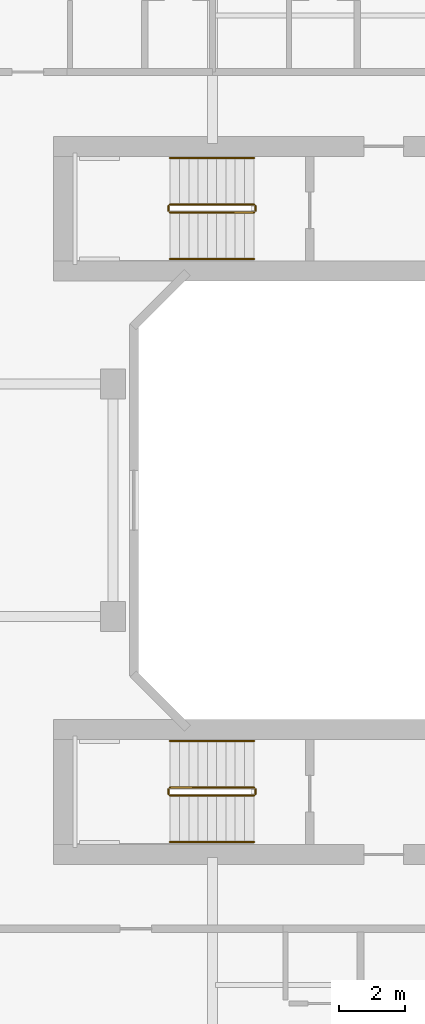
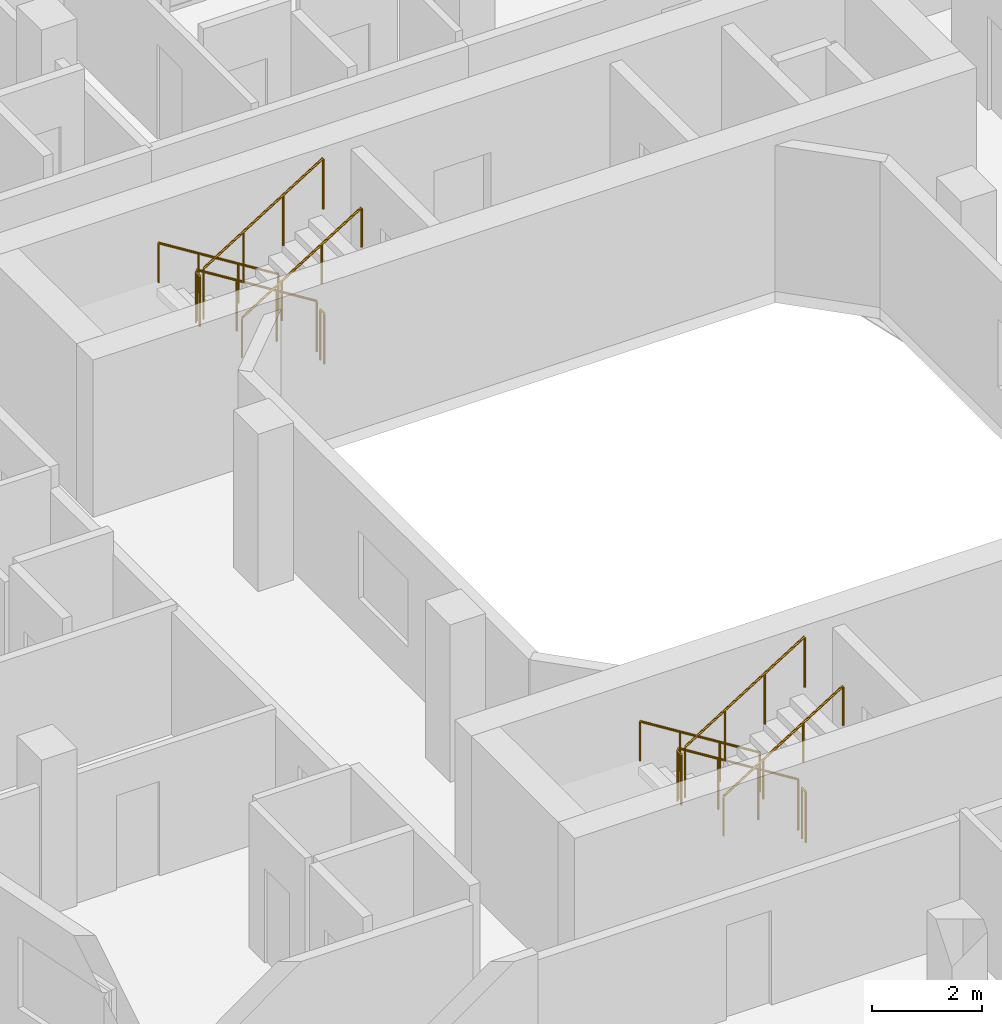
# One storey, part 26 of 26: 12 railings.
"""IFC4 building model written with IfcOpenShell, lengths in metres."""

from ifc_helpers import new_model, si_unit, derived_unit, direction, frame, origin, origin_2d, place, context, subcontext, project, spatial, circle, extrude, material, type_object, element, save


model = new_model("IFC4")

# Units and contexts
model_context = context("Model", 3, precision=1e-05, world=origin(), true_north=direction((0.0, 1.0)))
body_context = subcontext(model_context, "Body", "Model", "MODEL_VIEW")
ifc_project = project(units=[si_unit("LENGTHUNIT", "METRE"), si_unit("AREAUNIT", "SQUARE_METRE"), si_unit("VOLUMEUNIT", "CUBIC_METRE"), si_unit("PLANEANGLEUNIT", "RADIAN"), si_unit("MASSUNIT", "GRAM", prefix="KILO"), derived_unit("THERMALTRANSMITTANCEUNIT", [(si_unit("POWERUNIT", "WATT"), 1), (si_unit("LENGTHUNIT", "METRE"), -2), (si_unit("THERMODYNAMICTEMPERATUREUNIT", "KELVIN"), -1)])], contexts=[model_context])

# Site, building, storey
site_placement = place(None, origin())
site = spatial("IfcSite", under=ifc_project, at=site_placement, CompositionType="ELEMENT")
building_placement = place(site_placement, origin())
building = spatial("IfcBuilding", under=site, at=building_placement, Name="Kivonza Crest Hotel", CompositionType="ELEMENT")
storey_placement = place(building_placement, frame((0.0, 0.0, 45.0)))
storey = spatial("IfcBuildingStorey", under=building, at=storey_placement, Name="L11", CompositionType="ELEMENT", Elevation=45.0)

# Railings
ifc_material_1 = material(Name="Brushed stainless steel handrail", Category="steel")
railing_type_1 = type_object("IfcRailingType", Name="RL-HAND-900", PredefinedType="HANDRAIL", material=ifc_material_1)
railing_1_placement = place(storey_placement, frame((73.840087890625, 35.31005859375, 0.175048828125)))
element("IfcRailing", 1, at=railing_1_placement, inside=storey, type_object=railing_type_1, Name="L11 ST-T2-N stair handrail 1", PredefinedType="HANDRAIL", context=body_context, shape_type="SweptSolid", body=[
    extrude(circle(Radius=0.02392578125, at=origin_2d()), frame((0.0, 0.0, 0.8759765625), z_axis=(-0.848007534815, 0.0, 0.529984170421), x_axis=(0.0, -1.0, 0.0)), (0.0, 0.0, 1.0), 2.9716796875),
    extrude(circle(Radius=0.02099609375, at=origin_2d()), origin(), (0.0, 0.0, 1.0), 0.851806640625),
    extrude(circle(Radius=0.02099609375, at=origin_2d()), frame((-0.840087890625, 0.0, 0.52490234375)), (0.0, 0.0, 1.0), 0.851806640625),
    extrude(circle(Radius=0.02099609375, at=origin_2d()), frame((-1.679931640625, 0.0, 1.050048828125)), (0.0, 0.0, 1.0), 0.851806640625),
    extrude(circle(Radius=0.02099609375, at=origin_2d()), frame((-2.52001953125, 0.0, 1.574951171875)), (0.0, 0.0, 1.0), 0.851806640625),
])
railing_2_placement = place(storey_placement, frame((71.320068359375, 32.27001953125, 1.925048828125)))
element("IfcRailing", 2, at=railing_2_placement, inside=storey, type_object=railing_type_1, Name="L11 ST-T2-N stair handrail 2", PredefinedType="HANDRAIL", context=body_context, shape_type="SweptSolid", body=[
    extrude(circle(Radius=0.02392578125, at=origin_2d()), frame((0.0, 0.0, 0.8759765625), z_axis=(0.848007534815, 0.0, 0.529984170421), x_axis=(0.0, 1.0, 0.0)), (0.0, 0.0, 1.0), 2.9716796875),
    extrude(circle(Radius=0.02099609375, at=origin_2d()), origin(), (0.0, 0.0, 1.0), 0.851806640625),
    extrude(circle(Radius=0.02099609375, at=origin_2d()), frame((0.840087890625, 0.0, 0.52490234375)), (0.0, 0.0, 1.0), 0.851806640625),
    extrude(circle(Radius=0.02099609375, at=origin_2d()), frame((1.679931640625, 0.0, 1.050048828125)), (0.0, 0.0, 1.0), 0.851806640625),
    extrude(circle(Radius=0.02099609375, at=origin_2d()), frame((2.52001953125, 0.0, 1.574951171875)), (0.0, 0.0, 1.0), 0.851806640625),
])
railing_3_placement = place(storey_placement, frame((73.840087890625, 17.75, 0.175048828125)))
element("IfcRailing", 3, at=railing_3_placement, inside=storey, type_object=railing_type_1, Name="L11 ST-T2-S stair handrail 1", PredefinedType="HANDRAIL", context=body_context, shape_type="SweptSolid", body=[
    extrude(circle(Radius=0.02392578125, at=origin_2d()), frame((0.0, 0.0, 0.8759765625), z_axis=(-0.848007534815, 0.0, 0.529984170421), x_axis=(0.0, -1.0, 0.0)), (0.0, 0.0, 1.0), 2.9716796875),
    extrude(circle(Radius=0.02099609375, at=origin_2d()), origin(), (0.0, 0.0, 1.0), 0.851806640625),
    extrude(circle(Radius=0.02099609375, at=origin_2d()), frame((-0.840087890625, 0.0, 0.52490234375)), (0.0, 0.0, 1.0), 0.851806640625),
    extrude(circle(Radius=0.02099609375, at=origin_2d()), frame((-1.679931640625, 0.0, 1.050048828125)), (0.0, 0.0, 1.0), 0.851806640625),
    extrude(circle(Radius=0.02099609375, at=origin_2d()), frame((-2.52001953125, 0.0, 1.574951171875)), (0.0, 0.0, 1.0), 0.851806640625),
])
railing_4_placement = place(storey_placement, frame((71.320068359375, 14.7099609375, 1.925048828125)))
element("IfcRailing", 4, at=railing_4_placement, inside=storey, type_object=railing_type_1, Name="L11 ST-T2-S stair handrail 2", PredefinedType="HANDRAIL", context=body_context, shape_type="SweptSolid", body=[
    extrude(circle(Radius=0.02392578125, at=origin_2d()), frame((0.0, 0.0, 0.8759765625), z_axis=(0.848007534815, 0.0, 0.529984170421), x_axis=(0.0, 1.0, 0.0)), (0.0, 0.0, 1.0), 2.9716796875),
    extrude(circle(Radius=0.02099609375, at=origin_2d()), origin(), (0.0, 0.0, 1.0), 0.851806640625),
    extrude(circle(Radius=0.02099609375, at=origin_2d()), frame((0.840087890625, 0.0, 0.52490234375)), (0.0, 0.0, 1.0), 0.851806640625),
    extrude(circle(Radius=0.02099609375, at=origin_2d()), frame((1.679931640625, 0.0, 1.050048828125)), (0.0, 0.0, 1.0), 0.851806640625),
    extrude(circle(Radius=0.02099609375, at=origin_2d()), frame((2.52001953125, 0.0, 1.574951171875)), (0.0, 0.0, 1.0), 0.851806640625),
])
ifc_material_2 = material(Name="Painted steel balustrade", Category="steel")
railing_type_2 = type_object("IfcRailingType", Name="RL-STAIR-1150", PredefinedType="BALUSTRADE", material=ifc_material_2)
railing_5_placement = place(storey_placement, frame((73.840087890625, 33.909912109375, 0.175048828125)))
element("IfcRailing", 5, at=railing_5_placement, inside=storey, type_object=railing_type_2, Name="L11 ST-T2-N stair guard 1", PredefinedType="BALUSTRADE", context=body_context, shape_type="SweptSolid", body=[
    extrude(circle(Radius=0.02392578125, at=origin_2d()), frame((0.0, 0.0, 1.1259765625), z_axis=(-0.848007534815, 0.0, 0.529984170421), x_axis=(0.0, -1.0, 0.0)), (0.0, 0.0, 1.0), 2.9716796875),
    extrude(circle(Radius=0.02099609375, at=origin_2d()), origin(), (0.0, 0.0, 1.0), 1.101806640625),
    extrude(circle(Radius=0.02099609375, at=origin_2d()), frame((-0.840087890625, 0.0, 0.52490234375)), (0.0, 0.0, 1.0), 1.101806640625),
    extrude(circle(Radius=0.02099609375, at=origin_2d()), frame((-1.679931640625, 0.0, 1.050048828125)), (0.0, 0.0, 1.0), 1.101806640625),
    extrude(circle(Radius=0.02099609375, at=origin_2d()), frame((-2.52001953125, 0.0, 1.574951171875)), (0.0, 0.0, 1.0), 1.101806640625),
])
railing_6_placement = place(storey_placement, frame((71.27001953125, 33.860107421875, 1.75)))
element("IfcRailing", 6, at=railing_6_placement, inside=storey, type_object=railing_type_2, Name="L11 ST-T2-N stair guard 2", PredefinedType="BALUSTRADE", context=body_context, shape_type="SweptSolid", body=[
    extrude(circle(Radius=0.02392578125, at=origin_2d()), frame((0.0, 0.0, 1.1259765625), z_axis=(0.0, -1.0, 0.0), x_axis=(1.0, 0.0, 0.0)), (0.0, 0.0, 1.0), 0.14013671875),
    extrude(circle(Radius=0.02099609375, at=origin_2d()), origin(), (0.0, 0.0, 1.0), 1.101806640625),
    extrude(circle(Radius=0.02099609375, at=origin_2d()), frame((0.0, -0.14013671875, 0.0)), (0.0, 0.0, 1.0), 1.101806640625),
])
railing_7_placement = place(storey_placement, frame((71.320068359375, 33.669921875, 1.925048828125)))
element("IfcRailing", 7, at=railing_7_placement, inside=storey, type_object=railing_type_2, Name="L11 ST-T2-N stair guard 3", PredefinedType="BALUSTRADE", context=body_context, shape_type="SweptSolid", body=[
    extrude(circle(Radius=0.02392578125, at=origin_2d()), frame((0.0, 0.0, 1.1259765625), z_axis=(0.848007534815, 0.0, 0.529984170421), x_axis=(0.0, 1.0, 0.0)), (0.0, 0.0, 1.0), 2.9716796875),
    extrude(circle(Radius=0.02099609375, at=origin_2d()), origin(), (0.0, 0.0, 1.0), 1.101806640625),
    extrude(circle(Radius=0.02099609375, at=origin_2d()), frame((0.840087890625, 0.0, 0.52490234375)), (0.0, 0.0, 1.0), 1.101806640625),
    extrude(circle(Radius=0.02099609375, at=origin_2d()), frame((1.679931640625, 0.0, 1.050048828125)), (0.0, 0.0, 1.0), 1.101806640625),
    extrude(circle(Radius=0.02099609375, at=origin_2d()), frame((2.52001953125, 0.0, 1.574951171875)), (0.0, 0.0, 1.0), 1.101806640625),
])
railing_8_placement = place(storey_placement, frame((73.889892578125, 33.860107421875, 0.0)))
element("IfcRailing", 8, at=railing_8_placement, inside=storey, type_object=railing_type_2, Name="L11 ST-T2-N stair guard 4", PredefinedType="BALUSTRADE", context=body_context, shape_type="SweptSolid", body=[
    extrude(circle(Radius=0.02392578125, at=origin_2d()), frame((0.0, 0.0, 1.1259765625), z_axis=(0.0, -1.0, 0.0), x_axis=(1.0, 0.0, 0.0)), (0.0, 0.0, 1.0), 0.14013671875),
    extrude(circle(Radius=0.02099609375, at=origin_2d()), origin(), (0.0, 0.0, 1.0), 1.101806640625),
    extrude(circle(Radius=0.02099609375, at=origin_2d()), frame((0.0, -0.14013671875, 0.0)), (0.0, 0.0, 1.0), 1.101806640625),
])
railing_9_placement = place(storey_placement, frame((73.840087890625, 16.35009765625, 0.175048828125)))
element("IfcRailing", 9, at=railing_9_placement, inside=storey, type_object=railing_type_2, Name="L11 ST-T2-S stair guard 1", PredefinedType="BALUSTRADE", context=body_context, shape_type="SweptSolid", body=[
    extrude(circle(Radius=0.02392578125, at=origin_2d()), frame((0.0, 0.0, 1.1259765625), z_axis=(-0.848007534815, 0.0, 0.529984170421), x_axis=(0.0, -1.0, 0.0)), (0.0, 0.0, 1.0), 2.9716796875),
    extrude(circle(Radius=0.02099609375, at=origin_2d()), origin(), (0.0, 0.0, 1.0), 1.101806640625),
    extrude(circle(Radius=0.02099609375, at=origin_2d()), frame((-0.840087890625, 0.0, 0.52490234375)), (0.0, 0.0, 1.0), 1.101806640625),
    extrude(circle(Radius=0.02099609375, at=origin_2d()), frame((-1.679931640625, 0.0, 1.050048828125)), (0.0, 0.0, 1.0), 1.101806640625),
    extrude(circle(Radius=0.02099609375, at=origin_2d()), frame((-2.52001953125, 0.0, 1.574951171875)), (0.0, 0.0, 1.0), 1.101806640625),
])
railing_10_placement = place(storey_placement, frame((71.27001953125, 16.300048828125, 1.75)))
element("IfcRailing", 10, at=railing_10_placement, inside=storey, type_object=railing_type_2, Name="L11 ST-T2-S stair guard 2", PredefinedType="BALUSTRADE", context=body_context, shape_type="SweptSolid", body=[
    extrude(circle(Radius=0.02392578125, at=origin_2d()), frame((0.0, 0.0, 1.1259765625), z_axis=(0.0, -1.0, 0.0), x_axis=(1.0, 0.0, 0.0)), (0.0, 0.0, 1.0), 0.14013671875),
    extrude(circle(Radius=0.02099609375, at=origin_2d()), origin(), (0.0, 0.0, 1.0), 1.101806640625),
    extrude(circle(Radius=0.02099609375, at=origin_2d()), frame((0.0, -0.14013671875, 0.0)), (0.0, 0.0, 1.0), 1.101806640625),
])
railing_11_placement = place(storey_placement, frame((71.320068359375, 16.110107421875, 1.925048828125)))
element("IfcRailing", 11, at=railing_11_placement, inside=storey, type_object=railing_type_2, Name="L11 ST-T2-S stair guard 3", PredefinedType="BALUSTRADE", context=body_context, shape_type="SweptSolid", body=[
    extrude(circle(Radius=0.02392578125, at=origin_2d()), frame((0.0, 0.0, 1.1259765625), z_axis=(0.848007534815, 0.0, 0.529984170421), x_axis=(0.0, 1.0, 0.0)), (0.0, 0.0, 1.0), 2.9716796875),
    extrude(circle(Radius=0.02099609375, at=origin_2d()), origin(), (0.0, 0.0, 1.0), 1.101806640625),
    extrude(circle(Radius=0.02099609375, at=origin_2d()), frame((0.840087890625, 0.0, 0.52490234375)), (0.0, 0.0, 1.0), 1.101806640625),
    extrude(circle(Radius=0.02099609375, at=origin_2d()), frame((1.679931640625, 0.0, 1.050048828125)), (0.0, 0.0, 1.0), 1.101806640625),
    extrude(circle(Radius=0.02099609375, at=origin_2d()), frame((2.52001953125, 0.0, 1.574951171875)), (0.0, 0.0, 1.0), 1.101806640625),
])
railing_12_placement = place(storey_placement, frame((73.889892578125, 16.300048828125, 0.0)))
element("IfcRailing", 12, at=railing_12_placement, inside=storey, type_object=railing_type_2, Name="L11 ST-T2-S stair guard 4", PredefinedType="BALUSTRADE", context=body_context, shape_type="SweptSolid", body=[
    extrude(circle(Radius=0.02392578125, at=origin_2d()), frame((0.0, 0.0, 1.1259765625), z_axis=(0.0, -1.0, 0.0), x_axis=(1.0, 0.0, 0.0)), (0.0, 0.0, 1.0), 0.14013671875),
    extrude(circle(Radius=0.02099609375, at=origin_2d()), origin(), (0.0, 0.0, 1.0), 1.101806640625),
    extrude(circle(Radius=0.02099609375, at=origin_2d()), frame((0.0, -0.14013671875, 0.0)), (0.0, 0.0, 1.0), 1.101806640625),
])

save(model, "model.ifc")
